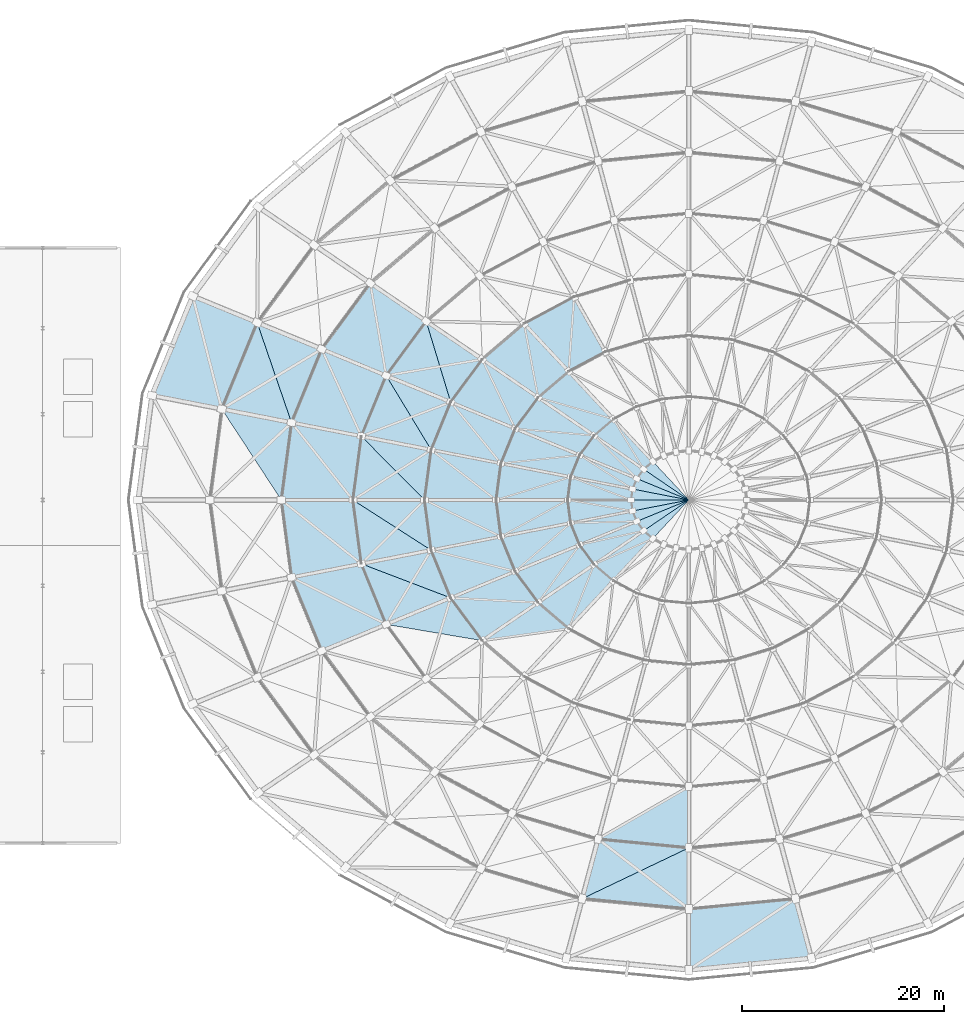
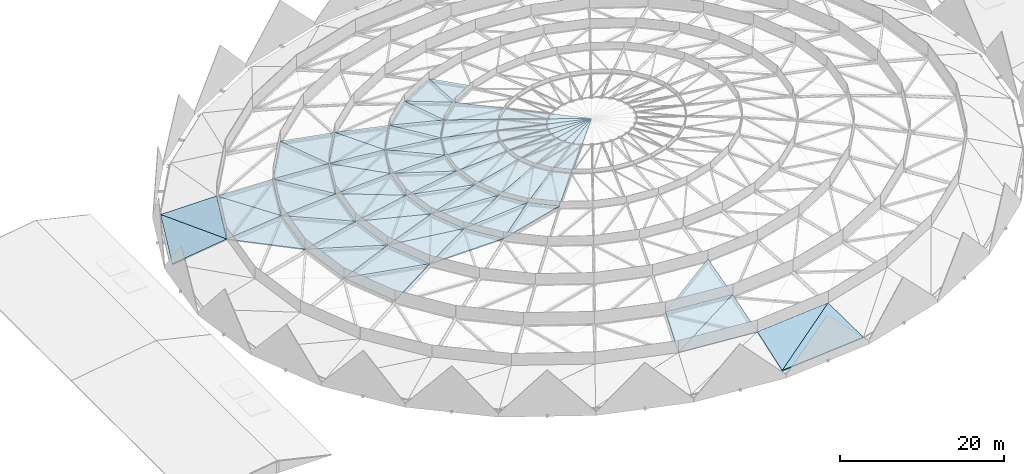
# One storey, part 19 of 27: 56 roofs.
"""IFC4 building model written with IfcOpenShell, lengths in metres."""

from ifc_helpers import new_model, si_unit, direction, frame, origin, place, context, subcontext, project, spatial, polyline, outline, extrude, material, layer, layer_set, type_object, element, save


model = new_model("IFC4")

# Units and contexts
model_context = context("Model", 3, precision=1e-05, world=origin(), true_north=direction((0.0, 1.0)))
body_context = subcontext(model_context, "Body", "Model", "MODEL_VIEW")
ifc_project = project(units=[si_unit("LENGTHUNIT", "METRE"), si_unit("AREAUNIT", "SQUARE_METRE"), si_unit("VOLUMEUNIT", "CUBIC_METRE"), si_unit("PLANEANGLEUNIT", "RADIAN"), si_unit("MASSUNIT", "GRAM", prefix="KILO")], contexts=[model_context])

# Site, building, storey
site_placement = place(None, origin())
site = spatial("IfcSite", under=ifc_project, at=site_placement, CompositionType="ELEMENT")
building_placement = place(site_placement, origin())
building = spatial("IfcBuilding", under=site, at=building_placement, Name="Cuetzalor Civic Arena", CompositionType="ELEMENT")
storey_placement = place(building_placement, frame((0.0, 0.0, 31.800048828125)))
storey = spatial("IfcBuildingStorey", under=building, at=storey_placement, Name="Roof", CompositionType="ELEMENT", Elevation=31.800048828125)

# Roofs
ifc_material = material(Name="Standing-seam acoustic zinc and steel deck", Category="steel")
ifc_layer = layer(ifc_material, 0.179931640625)
ifc_layer_set = layer_set([ifc_layer], Name="Standing-seam acoustic zinc and steel deck")
roof_type = type_object("IfcRoofType", Name="ArenaDomeRoof_StandingSeam", PredefinedType="DOME_ROOF", material=ifc_layer_set)
roof_1_placement = place(storey_placement, frame((-49.14794921875, 20.197265625, 0.4150390625), z_axis=(-0.270384315389, 0.110870987886, 0.956347189067), x_axis=(-0.379392590278, -0.925235787485, 0.0)))
element("IfcRoof", 1, at=roof_1_placement, inside=storey, type_object=roof_type, Name="Arena Space-Frame Dome Shell Panel R1-S13A", PredefinedType="DOME_ROOF", context=body_context, shape_type="SweptSolid", body=[
    extrude(outline(polyline([(0.0, 0.0), (10.63390253661406, 4.440892098500626e-16), (9.256847321696066, 7.223142963294137), (0.0, 0.0)])), origin(), (0.0, 0.0, -1.0), 0.179931640625),
])
roof_2_placement = place(storey_placement, frame((-49.14794921875, 20.197265625, 0.4150390625), z_axis=(-0.270381615841, 0.110871808875, 0.956347857117), x_axis=(0.24523208292, -0.952649916149, 0.179775868147)))
element("IfcRoof", 2, at=roof_2_placement, inside=storey, type_object=roof_type, Name="Arena Space-Frame Dome Shell Panel R1-S13B", PredefinedType="DOME_ROOF", context=body_context, shape_type="SweptSolid", body=[
    extrude(outline(polyline([(0.0, 0.0), (11.741508276425868, -3.885780586188048e-16), (4.4477687612989225, 5.691393143351305), (0.0, 0.0)])), origin(), (0.0, 0.0, -1.0), 0.179931640625),
])
roof_3_placement = place(storey_placement, frame((0.0, -46.550048828125, 0.4150390625), z_axis=(0.031655229707, -0.329191877394, 0.94373230012), x_axis=(0.995408405496, 0.095718891906, 0.0)))
element("IfcRoof", 3, at=roof_3_placement, inside=storey, type_object=roof_type, Name="Arena Space-Frame Dome Shell Panel R1-S22A", PredefinedType="DOME_ROOF", context=body_context, shape_type="SweptSolid", body=[
    extrude(outline(polyline([(0.0, 0.0), (12.194419564224404, -2.220446049250313e-16), (11.188492439758683, 6.382744737674283), (0.0, 0.0)])), origin(), (0.0, 0.0, -1.0), 0.179931640625),
])
roof_4_placement = place(storey_placement, frame((0.0, -46.550048828125, 0.4150390625), z_axis=(0.031650726914, -0.329185824334, 0.943734562546), x_axis=(0.819850549154, 0.548626641294, 0.163871551877)))
element("IfcRoof", 4, at=roof_4_placement, inside=storey, type_object=roof_type, Name="Arena Space-Frame Dome Shell Panel R1-S22B", PredefinedType="DOME_ROOF", context=body_context, shape_type="SweptSolid", body=[
    extrude(outline(polyline([(0.0, 0.0), (12.881063366851588, 2.220446049250313e-16), (3.6659282215038456, 5.257131617301799), (0.0, 0.0)])), origin(), (0.0, 0.0, -1.0), 0.179931640625),
])
roof_5_placement = place(storey_placement, frame((-42.758544921875, 17.571533203125, 2.52587890625), z_axis=(-0.244639197779, 0.100315956375, 0.964410893658), x_axis=(-0.379398237974, -0.925233471629, 0.0)))
element("IfcRoof", 5, at=roof_5_placement, inside=storey, type_object=roof_type, Name="Arena Space-Frame Dome Shell Panel R2-S13A", PredefinedType="DOME_ROOF", context=body_context, shape_type="SweptSolid", body=[
    extrude(outline(polyline([(0.0, 0.0), (9.251518363312615, 0.0), (7.874287721975854, 7.162409295902043), (0.0, 0.0)])), origin(), (0.0, 0.0, -1.0), 0.179931640625),
])
roof_6_placement = place(storey_placement, frame((-42.758544921875, 17.571533203125, 2.52587890625), z_axis=(-0.244636230763, 0.100317096975, 0.964411527644), x_axis=(0.319749867351, -0.930648491332, 0.177914046413)))
element("IfcRoof", 6, at=roof_6_placement, inside=storey, type_object=roof_type, Name="Arena Space-Frame Dome Shell Panel R2-S13B", PredefinedType="DOME_ROOF", context=body_context, shape_type="SweptSolid", body=[
    extrude(outline(polyline([(0.0, 0.0), (10.644459312265875, 0.0), (4.823273233006193, 5.295003827984189), (0.0, 0.0)])), origin(), (0.0, 0.0, -1.0), 0.179931640625),
])
roof_7_placement = place(storey_placement, frame((-46.2685546875, 9.01171875, 2.52587890625), z_axis=(-0.25786639188, 0.03404325873, 0.965580644211), x_axis=(0.539581172715, -0.823936633735, 0.17314901571)))
element("IfcRoof", 7, at=roof_7_placement, inside=storey, type_object=roof_type, Name="Arena Space-Frame Dome Shell Panel R2-S14B", PredefinedType="DOME_ROOF", context=body_context, shape_type="SweptSolid", body=[
    extrude(outline(polyline([(0.0, 0.0), (10.937392975419804, -5.551115123125783e-16), (5.167721459682312, 5.146991944485611), (0.0, 0.0)])), origin(), (0.0, 0.0, -1.0), 0.179931640625),
])
roof_8_placement = place(storey_placement, frame((-10.560546875, -39.483154296875, 2.52587890625), z_axis=(-0.02870417103, -0.298539942791, 0.953965394091), x_axis=(0.995409535031, -0.095707144817, 0.0)))
element("IfcRoof", 8, at=roof_8_placement, inside=storey, type_object=roof_type, Name="Arena Space-Frame Dome Shell Panel R2-S21A", PredefinedType="DOME_ROOF", context=body_context, shape_type="SweptSolid", body=[
    extrude(outline(polyline([(0.0, 0.0), (10.609248257471279, 0.0), (10.0300751621164, 6.314416065473887), (0.0, 0.0)])), origin(), (0.0, 0.0, -1.0), 0.179931640625),
])
roof_9_placement = place(storey_placement, frame((-10.560546875, -39.483154296875, 2.52587890625), z_axis=(-0.028707632542, -0.298533413365, 0.953967333266), x_axis=(0.8910211957, 0.424911809342, 0.159784802456)))
element("IfcRoof", 9, at=roof_9_placement, inside=storey, type_object=roof_type, Name="Arena Space-Frame Dome Shell Panel R2-S21B", PredefinedType="DOME_ROOF", context=body_context, shape_type="SweptSolid", body=[
    extrude(outline(polyline([(0.0, 0.0), (11.85218368089269, 3.885780586188048e-16), (4.215681275929966, 4.80768463634969), (0.0, 0.0)])), origin(), (0.0, 0.0, -1.0), 0.179931640625),
])
roof_10_placement = place(storey_placement, frame((-31.560302734375, 21.477294921875, 4.419677734375), z_axis=(-0.193812579037, 0.142707841727, 0.970603500981), x_axis=(-0.592925880885, -0.80525703957, 0.0)))
element("IfcRoof", 10, at=roof_10_placement, inside=storey, type_object=roof_type, Name="Arena Space-Frame Dome Shell Panel R3-S12A", PredefinedType="DOME_ROOF", context=body_context, shape_type="SweptSolid", body=[
    extrude(outline(polyline([(0.0, 0.0), (8.110764239317504, 8.881784197001252e-16), (6.436855342297008, 6.9047565717553), (0.0, 0.0)])), origin(), (0.0, 0.0, -1.0), 0.179931640625),
])
roof_11_placement = place(storey_placement, frame((-31.560302734375, 21.477294921875, 4.419677734375), z_axis=(-0.193812934934, 0.142707769349, 0.970603440556), x_axis=(0.167385693551, -0.970045613107, 0.176049817059)))
element("IfcRoof", 11, at=roof_11_placement, inside=storey, type_object=roof_type, Name="Arena Space-Frame Dome Shell Panel R3-S12B", PredefinedType="DOME_ROOF", context=body_context, shape_type="SweptSolid", body=[
    extrude(outline(polyline([(0.0, 0.0), (9.439744170943168, 0.0), (4.880562771050326, 4.890582048982679), (0.0, 0.0)])), origin(), (0.0, 0.0, -1.0), 0.179931640625),
])
roof_12_placement = place(storey_placement, frame((-36.369384765625, 14.946044921875, 4.419677734375), z_axis=(-0.216415023087, 0.088744528111, 0.972259711452), x_axis=(-0.379405869929, -0.925230342057, 0.0)))
element("IfcRoof", 12, at=roof_12_placement, inside=storey, type_object=roof_type, Name="Arena Space-Frame Dome Shell Panel R3-S13A", PredefinedType="DOME_ROOF", context=body_context, shape_type="SweptSolid", body=[
    extrude(outline(polyline([(0.0, 0.0), (7.869134190476988, 0.0), (6.491979829215341, 7.104904813552269), (0.0, 0.0)])), origin(), (0.0, 0.0, -1.0), 0.179931640625),
])
roof_13_placement = place(storey_placement, frame((-36.369384765625, 14.946044921875, 4.419677734375), z_axis=(-0.216421502787, 0.088741355737, 0.972258558673), x_axis=(0.408160405949, -0.896430853041, 0.172675443337)))
element("IfcRoof", 13, at=roof_13_placement, inside=storey, type_object=roof_type, Name="Arena Space-Frame Dome Shell Panel R3-S13B", PredefinedType="DOME_ROOF", context=body_context, shape_type="SweptSolid", body=[
    extrude(outline(polyline([(0.0, 0.0), (9.62421292951154, -3.885780586188048e-16), (5.248553073959941, 4.7885618864694655), (0.0, 0.0)])), origin(), (0.0, 0.0, -1.0), 0.179931640625),
])
roof_14_placement = place(storey_placement, frame((-39.35498046875, 7.665283203125, 4.419677734375), z_axis=(-0.228059585687, 0.030108194499, 0.97318154627), x_axis=(-0.130883326155, -0.991397778359, 0.0)))
element("IfcRoof", 14, at=roof_14_placement, inside=storey, type_object=roof_type, Name="Arena Space-Frame Dome Shell Panel R3-S14A", PredefinedType="DOME_ROOF", context=body_context, shape_type="SweptSolid", body=[
    extrude(outline(polyline([(0.0, 0.0), (7.73179380713896, 3.3306690738754696e-16), (6.803627797658519, 7.224294020905501), (0.0, 0.0)])), origin(), (0.0, 0.0, -1.0), 0.179931640625),
])
roof_15_placement = place(storey_placement, frame((-39.35498046875, 7.665283203125, 4.419677734375), z_axis=(-0.228057617721, 0.030109844278, 0.973181956408), x_axis=(0.612633521306, -0.772422081296, 0.167464315297)))
element("IfcRoof", 15, at=roof_15_placement, inside=storey, type_object=roof_type, Name="Arena Space-Frame Dome Shell Panel R3-S14B", PredefinedType="DOME_ROOF", context=body_context, shape_type="SweptSolid", body=[
    extrude(outline(polyline([(0.0, 0.0), (9.923697663147678, 4.996003610813204e-16), (5.554145137822903, 4.639795074394815), (0.0, 0.0)])), origin(), (0.0, 0.0, -1.0), 0.179931640625),
])
roof_16_placement = place(storey_placement, frame((-40.366943359375, 0.0, 4.419677734375), z_axis=(-0.22805797427, -0.030107981761, 0.973181930477), x_axis=(0.130883326155, -0.991397778359, 0.0)))
element("IfcRoof", 16, at=roof_16_placement, inside=storey, type_object=roof_type, Name="Arena Space-Frame Dome Shell Panel R3-S15A", PredefinedType="DOME_ROOF", context=body_context, shape_type="SweptSolid", body=[
    extrude(outline(polyline([(0.0, 0.0), (7.73179380713896, -1.1102230246251565e-16), (7.301602100099006, 7.224345066480024), (0.0, 0.0)])), origin(), (0.0, 0.0, -1.0), 0.179931640625),
])
roof_17_placement = place(storey_placement, frame((-40.366943359375, 0.0, 4.419677734375), z_axis=(-0.228059572575, -0.030110102372, 0.973181490315), x_axis=(0.77162533224, -0.615156333899, 0.161793175103)))
element("IfcRoof", 17, at=roof_17_placement, inside=storey, type_object=roof_type, Name="Arena Space-Frame Dome Shell Panel R3-S15B", PredefinedType="DOME_ROOF", context=body_context, shape_type="SweptSolid", body=[
    extrude(outline(polyline([(0.0, 0.0), (10.27154101718649, -3.3306690738754696e-16), (5.740900187620725, 4.482631066396403), (0.0, 0.0)])), origin(), (0.0, 0.0, -1.0), 0.179931640625),
])
roof_18_placement = place(storey_placement, frame((-39.35498046875, -7.665283203125, 4.419677734375), z_axis=(-0.216419452787, -0.088746344582, 0.972258559632), x_axis=(0.379405869929, -0.925230342057, 0.0)))
element("IfcRoof", 18, at=roof_18_placement, inside=storey, type_object=roof_type, Name="Arena Space-Frame Dome Shell Panel R3-S16A", PredefinedType="DOME_ROOF", context=body_context, shape_type="SweptSolid", body=[
    extrude(outline(polyline([(0.0, 0.0), (7.869134190476988, 4.440892098500626e-16), (7.863811750831536, 7.104759389476787), (0.0, 0.0)])), origin(), (0.0, 0.0, -1.0), 0.179931640625),
])
roof_19_placement = place(storey_placement, frame((-39.35498046875, -7.665283203125, 4.419677734375), z_axis=(-0.216416128973, -0.088739152262, 0.972259955967), x_axis=(0.884579653909, -0.439237486942, 0.156809648797)))
element("IfcRoof", 19, at=roof_19_placement, inside=storey, type_object=roof_type, Name="Arena Space-Frame Dome Shell Panel R3-S16B", PredefinedType="DOME_ROOF", context=body_context, shape_type="SweptSolid", body=[
    extrude(outline(polyline([(0.0, 0.0), (10.597978167314498, -3.885780586188048e-16), (5.78490735362082, 4.348686405617672), (0.0, 0.0)])), origin(), (0.0, 0.0, -1.0), 0.179931640625),
])
roof_20_placement = place(storey_placement, frame((-8.982421875, -33.583251953125, 4.419677734375), z_axis=(-0.025456998482, -0.264729759228, 0.963986564122), x_axis=(0.995408235955, -0.095720655001, 0.0)))
element("IfcRoof", 20, at=roof_20_placement, inside=storey, type_object=roof_type, Name="Arena Space-Frame Dome Shell Panel R3-S21A", PredefinedType="DOME_ROOF", context=body_context, shape_type="SweptSolid", body=[
    extrude(outline(polyline([(0.0, 0.0), (9.023857298494606, 0.0), (8.444602446073521, 6.24876608572132), (0.0, 0.0)])), origin(), (0.0, 0.0, -1.0), 0.179931640625),
])
roof_21_placement = place(storey_placement, frame((-26.015869140625, 17.704345703125, 6.08154296875), z_axis=(-0.165890067061, 0.122147685527, 0.978550166609), x_axis=(-0.592924979879, -0.805257702997, 0.0)))
element("IfcRoof", 21, at=roof_21_placement, inside=storey, type_object=roof_type, Name="Arena Space-Frame Dome Shell Panel R4-S12A", PredefinedType="DOME_ROOF", context=body_context, shape_type="SweptSolid", body=[
    extrude(outline(polyline([(0.0, 0.0), (6.686099596548087, 0.0), (5.012198198185634, 6.84868594742696), (0.0, 0.0)])), origin(), (0.0, 0.0, -1.0), 0.179931640625),
])
roof_22_placement = place(storey_placement, frame((-26.015869140625, 17.704345703125, 6.08154296875), z_axis=(-0.165890482663, 0.122147550275, 0.978550113036), x_axis=(0.285713140757, -0.943785413002, 0.166244083813)))
element("IfcRoof", 22, at=roof_22_placement, inside=storey, type_object=roof_type, Name="Arena Space-Frame Dome Shell Panel R4-S12B", PredefinedType="DOME_ROOF", context=body_context, shape_type="SweptSolid", body=[
    extrude(outline(polyline([(0.0, 0.0), (8.486850416048277, 2.7755575615628914e-16), (5.379523867059674, 4.245847323082911), (0.0, 0.0)])), origin(), (0.0, 0.0, -1.0), 0.179931640625),
])
roof_23_placement = place(storey_placement, frame((-29.980224609375, 12.3203125, 6.08154296875), z_axis=(-0.185158298193, 0.075922208265, 0.979771515662), x_axis=(-0.379384535293, -0.925239090387, 0.0)))
element("IfcRoof", 23, at=roof_23_placement, inside=storey, type_object=roof_type, Name="Arena Space-Frame Dome Shell Panel R4-S13A", PredefinedType="DOME_ROOF", context=body_context, shape_type="SweptSolid", body=[
    extrude(outline(polyline([(0.0, 0.0), (6.486657391294367, 0.0), (5.109754938206923, 7.050234119374815), (0.0, 0.0)])), origin(), (0.0, 0.0, -1.0), 0.179931640625),
])
roof_24_placement = place(storey_placement, frame((-29.980224609375, 12.3203125, 6.08154296875), z_axis=(-0.185156492577, 0.075923350864, 0.979771768347), x_axis=(0.511373899201, -0.843943578903, 0.162036942838)))
element("IfcRoof", 24, at=roof_24_placement, inside=storey, type_object=roof_type, Name="Arena Space-Frame Dome Shell Panel R4-S13B", PredefinedType="DOME_ROOF", context=body_context, shape_type="SweptSolid", body=[
    extrude(outline(polyline([(0.0, 0.0), (8.707203722580907, -2.498001805406602e-16), (5.7118358461535905, 4.132962177968507), (0.0, 0.0)])), origin(), (0.0, 0.0, -1.0), 0.179931640625),
])
roof_25_placement = place(storey_placement, frame((-32.441162109375, 6.318603515625, 6.08154296875), z_axis=(-0.195070787572, 0.025754680311, 0.98045095965), x_axis=(-0.130891485179, -0.991396701178, 0.0)))
element("IfcRoof", 25, at=roof_25_placement, inside=storey, type_object=roof_type, Name="Arena Space-Frame Dome Shell Panel R4-S14A", PredefinedType="DOME_ROOF", context=body_context, shape_type="SweptSolid", body=[
    extrude(outline(polyline([(0.0, 0.0), (6.373436090834402, 1.1102230246251565e-16), (5.44524417713336, 7.17047586897535), (0.0, 0.0)])), origin(), (0.0, 0.0, -1.0), 0.179931640625),
])
roof_26_placement = place(storey_placement, frame((-32.441162109375, 6.318603515625, 6.08154296875), z_axis=(-0.195068618006, 0.025756912046, 0.980451332678), x_axis=(0.69494630021, -0.70177943719, 0.156701184943)))
element("IfcRoof", 26, at=roof_26_placement, inside=storey, type_object=roof_type, Name="Arena Space-Frame Dome Shell Panel R4-S14B", PredefinedType="DOME_ROOF", context=body_context, shape_type="SweptSolid", body=[
    extrude(outline(polyline([(0.0, 0.0), (9.00368859613451, 8.326672684688674e-17), (5.970722864420534, 3.9940117650804234), (0.0, 0.0)])), origin(), (0.0, 0.0, -1.0), 0.179931640625),
])
roof_27_placement = place(storey_placement, frame((-33.275390625, 0.0, 6.08154296875), z_axis=(-0.195069090356, -0.025754456232, 0.980451303213), x_axis=(0.130891485179, -0.991396701178, 0.0)))
element("IfcRoof", 27, at=roof_27_placement, inside=storey, type_object=roof_type, Name="Arena Space-Frame Dome Shell Panel R4-S15A", PredefinedType="DOME_ROOF", context=body_context, shape_type="SweptSolid", body=[
    extrude(outline(polyline([(0.0, 0.0), (6.373436090834402, 1.1102230246251565e-16), (5.943270288492723, 7.170538256352219), (0.0, 0.0)])), origin(), (0.0, 0.0, -1.0), 0.179931640625),
])
roof_28_placement = place(storey_placement, frame((-33.275390625, 0.0, 6.08154296875), z_axis=(-0.19507077492, -0.025757196846, 0.980450896059), x_axis=(0.831900044289, -0.533847310602, 0.151490479154)))
element("IfcRoof", 28, at=roof_28_placement, inside=storey, type_object=roof_type, Name="Arena Space-Frame Dome Shell Panel R4-S15B", PredefinedType="DOME_ROOF", context=body_context, shape_type="SweptSolid", body=[
    extrude(outline(polyline([(0.0, 0.0), (9.313381802969912, 3.885780586188048e-16), (6.112996134145744, 3.861158204494735), (0.0, 0.0)])), origin(), (0.0, 0.0, -1.0), 0.179931640625),
])
roof_29_placement = place(storey_placement, frame((-32.441162109375, -6.318603515625, 6.08154296875), z_axis=(-0.185157154769, -0.075921739416, 0.979771768078), x_axis=(0.379384535293, -0.925239090387, 0.0)))
element("IfcRoof", 29, at=roof_29_placement, inside=storey, type_object=roof_type, Name="Arena Space-Frame Dome Shell Panel R4-S16A", PredefinedType="DOME_ROOF", context=body_context, shape_type="SweptSolid", body=[
    extrude(outline(polyline([(0.0, 0.0), (6.486657391294367, 0.0), (6.481175670468761, 7.050277657557898), (0.0, 0.0)])), origin(), (0.0, 0.0, -1.0), 0.179931640625),
])
roof_30_placement = place(storey_placement, frame((-32.441162109375, -6.318603515625, 6.08154296875), z_axis=(-0.18515794567, -0.075923946705, 0.979771447569), x_axis=(0.92413380045, -0.352521991521, 0.147326047801)))
element("IfcRoof", 30, at=roof_30_placement, inside=storey, type_object=roof_type, Name="Arena Space-Frame Dome Shell Panel R4-S16B", PredefinedType="DOME_ROOF", context=body_context, shape_type="SweptSolid", body=[
    extrude(outline(polyline([(0.0, 0.0), (9.5766410144756, 5.551115123125783e-17), (6.122194064001955, 3.7577122489640167), (0.0, 0.0)])), origin(), (0.0, 0.0, -1.0), 0.179931640625),
])
roof_31_placement = place(storey_placement, frame((-29.980224609375, -12.3203125, 6.08154296875), z_axis=(-0.165890209312, -0.122147349003, 0.9785501845), x_axis=(0.975564394298, -0.165290886258, 0.144751633836)))
element("IfcRoof", 31, at=roof_31_placement, inside=storey, type_object=roof_type, Name="Arena Space-Frame Dome Shell Panel R4-S17B", PredefinedType="DOME_ROOF", context=body_context, shape_type="SweptSolid", body=[
    extrude(outline(polyline([(0.0, 0.0), (9.746961982292454, 1.6653345369377348e-16), (6.003255959231392, 3.696939678419985), (0.0, 0.0)])), origin(), (0.0, 0.0, -1.0), 0.179931640625),
])
roof_32_placement = place(storey_placement, frame((-11.36083984375, 20.131103515625, 7.492431640625), z_axis=(-0.084157221684, 0.156960203884, 0.984012731846), x_axis=(-0.881313042066, -0.472532879157, 0.0)))
element("IfcRoof", 32, at=roof_32_placement, inside=storey, type_object=roof_type, Name="Arena Space-Frame Dome Shell Panel R5-S10A", PredefinedType="DOME_ROOF", context=body_context, shape_type="SweptSolid", body=[
    extrude(outline(polyline([(0.0, 0.0), (5.6331852275050105, 0.0), (3.972207559867076, 6.360608649591214), (0.0, 0.0)])), origin(), (0.0, 0.0, -1.0), 0.179931640625),
])
roof_33_placement = place(storey_placement, frame((-11.36083984375, 20.131103515625, 7.492431640625), z_axis=(-0.084153763188, 0.15696000007, 0.984013060136), x_axis=(-0.072437545133, -0.98586685021, 0.151060768277)))
element("IfcRoof", 33, at=roof_33_placement, inside=storey, type_object=roof_type, Name="Arena Space-Frame Dome Shell Panel R5-S10B", PredefinedType="DOME_ROOF", context=body_context, shape_type="SweptSolid", body=[
    extrude(outline(polyline([(0.0, 0.0), (7.49905162616712, -4.163336342344337e-17), (5.323332539643774, 3.4840576156526972), (0.0, 0.0)])), origin(), (0.0, 0.0, -1.0), 0.179931640625),
])
roof_34_placement = place(storey_placement, frame((-16.325439453125, 17.46923828125, 7.492431640625), z_axis=(-0.11196142614, 0.131207572887, 0.985012290215), x_axis=(-0.760693428242, -0.649111321909, 0.0)))
element("IfcRoof", 34, at=roof_34_placement, inside=storey, type_object=roof_type, Name="Arena Space-Frame Dome Shell Panel R5-S11A", PredefinedType="DOME_ROOF", context=body_context, shape_type="SweptSolid", body=[
    extrude(outline(polyline([(0.0, 0.0), (5.450285147504302, 0.0), (3.6818934787364617, 6.567631770183517), (0.0, 0.0)])), origin(), (0.0, 0.0, -1.0), 0.179931640625),
])
roof_35_placement = place(storey_placement, frame((-16.325439453125, 17.46923828125, 7.492431640625), z_axis=(-0.111972704759, 0.131205264534, 0.985011315644), x_axis=(0.185733117213, -0.971013255596, 0.150454201094)))
element("IfcRoof", 35, at=roof_35_placement, inside=storey, type_object=roof_type, Name="Arena Space-Frame Dome Shell Panel R5-S11B", PredefinedType="DOME_ROOF", context=body_context, shape_type="SweptSolid", body=[
    extrude(outline(polyline([(0.0, 0.0), (7.5292846046278505, 0.0), (5.585693390136665, 3.4664417717639657), (0.0, 0.0)])), origin(), (0.0, 0.0, -1.0), 0.179931640625),
])
roof_36_placement = place(storey_placement, frame((-20.471435546875, 13.931396484375, 7.492431640625), z_axis=(-0.134209235218, 0.098820191749, 0.986013413136), x_axis=(-0.592923590931, -0.805258725701, 0.0)))
element("IfcRoof", 36, at=roof_36_placement, inside=storey, type_object=roof_type, Name="Arena Space-Frame Dome Shell Panel R5-S12A", PredefinedType="DOME_ROOF", context=body_context, shape_type="SweptSolid", body=[
    extrude(outline(polyline([(0.0, 0.0), (5.261434953791573, 0.0), (3.587203761883724, 6.796902975628303), (0.0, 0.0)])), origin(), (0.0, 0.0, -1.0), 0.179931640625),
])
roof_37_placement = place(storey_placement, frame((-20.471435546875, 13.931396484375, 7.492431640625), z_axis=(-0.134205657157, 0.098821947975, 0.986013724136), x_axis=(0.425450884791, -0.892897294833, 0.147397304967)))
element("IfcRoof", 37, at=roof_37_placement, inside=storey, type_object=roof_type, Name="Arena Space-Frame Dome Shell Panel R5-S12B", PredefinedType="DOME_ROOF", context=body_context, shape_type="SweptSolid", body=[
    extrude(outline(polyline([(0.0, 0.0), (7.685435634326632, -1.3877787807814457e-17), (5.894931831122794, 3.3927532874210953), (0.0, 0.0)])), origin(), (0.0, 0.0, -1.0), 0.179931640625),
])
roof_38_placement = place(storey_placement, frame((-23.591064453125, 9.694580078125, 7.492431640625), z_axis=(-0.149731033329, 0.061397154485, 0.986818629273), x_axis=(-0.379392590278, -0.925235787485, 0.0)))
element("IfcRoof", 38, at=roof_38_placement, inside=storey, type_object=roof_type, Name="Arena Space-Frame Dome Shell Panel R5-S13A", PredefinedType="DOME_ROOF", context=body_context, shape_type="SweptSolid", body=[
    extrude(outline(polyline([(0.0, 0.0), (5.104273217574749, 0.0), (3.7269921150133243, 7.000009565207953), (0.0, 0.0)])), origin(), (0.0, 0.0, -1.0), 0.179931640625),
])
roof_39_placement = place(storey_placement, frame((-23.591064453125, 9.694580078125, 7.492431640625), z_axis=(-0.149728908118, 0.06139893687, 0.986818840834), x_axis=(0.627625371752, -0.765298431176, 0.142845034823)))
element("IfcRoof", 39, at=roof_39_placement, inside=storey, type_object=roof_type, Name="Arena Space-Frame Dome Shell Panel R5-S13B", PredefinedType="DOME_ROOF", context=body_context, shape_type="SweptSolid", body=[
    extrude(outline(polyline([(0.0, 0.0), (7.930359647479698, -2.7755575615628914e-16), (6.181250950819479, 3.285281848952283), (0.0, 0.0)])), origin(), (0.0, 0.0, -1.0), 0.179931640625),
])
roof_40_placement = place(storey_placement, frame((-25.527587890625, 4.971923828125, 7.492431640625), z_axis=(-0.157707023745, 0.020823677233, 0.987266361793), x_axis=(-0.130904064007, -0.991395040348, 0.0)))
element("IfcRoof", 40, at=roof_40_placement, inside=storey, type_object=roof_type, Name="Arena Space-Frame Dome Shell Panel R5-S14A", PredefinedType="DOME_ROOF", context=body_context, shape_type="SweptSolid", body=[
    extrude(outline(polyline([(0.0, 0.0), (5.015078375195358, 0.0), (4.086765302148113, 7.1212091096236865), (0.0, 0.0)])), origin(), (0.0, 0.0, -1.0), 0.179931640625),
])
roof_41_placement = place(storey_placement, frame((-25.527587890625, 4.971923828125, 7.492431640625), z_axis=(-0.157705550279, 0.020825628559, 0.987266556005), x_axis=(0.783754070388, -0.605552456312, 0.137970213468)))
element("IfcRoof", 41, at=roof_41_placement, inside=storey, type_object=roof_type, Name="Arena Space-Frame Dome Shell Panel R5-S14B", PredefinedType="DOME_ROOF", context=body_context, shape_type="SweptSolid", body=[
    extrude(outline(polyline([(0.0, 0.0), (8.210558435199712, 9.020562075079397e-16), (6.390365016206717, 3.1717932007173775), (0.0, 0.0)])), origin(), (0.0, 0.0, -1.0), 0.179931640625),
])
roof_42_placement = place(storey_placement, frame((-26.18408203125, 0.0, 7.492431640625), z_axis=(-0.157705954442, -0.020823536042, 0.987266535582), x_axis=(0.130904064007, -0.991395040348, 0.0)))
element("IfcRoof", 42, at=roof_42_placement, inside=storey, type_object=roof_type, Name="Arena Space-Frame Dome Shell Panel R5-S15A", PredefinedType="DOME_ROOF", context=body_context, shape_type="SweptSolid", body=[
    extrude(outline(polyline([(0.0, 0.0), (5.015078375195358, -1.1102230246251565e-16), (4.585275772921347, 7.121257393996802), (0.0, 0.0)])), origin(), (0.0, 0.0, -1.0), 0.179931640625),
])
roof_43_placement = place(storey_placement, frame((-26.18408203125, 0.0, 7.492431640625), z_axis=(-0.157707016697, -0.020825822205, 0.987266317674), x_axis=(0.893803432207, -0.428050211825, 0.133747675614)))
element("IfcRoof", 43, at=roof_43_placement, inside=storey, type_object=roof_type, Name="Arena Space-Frame Dome Shell Panel R5-S15B", PredefinedType="DOME_ROOF", context=body_context, shape_type="SweptSolid", body=[
    extrude(outline(polyline([(0.0, 0.0), (8.469773360916667, 3.3306690738754696e-16), (6.489965212440509, 3.0746928116300993), (0.0, 0.0)])), origin(), (0.0, 0.0, -1.0), 0.179931640625),
])
roof_44_placement = place(storey_placement, frame((-25.527587890625, -4.971923828125, 7.492431640625), z_axis=(-0.14972984132, -0.061396665702, 0.986818840547), x_axis=(0.379392590278, -0.925235787485, 0.0)))
element("IfcRoof", 44, at=roof_44_placement, inside=storey, type_object=roof_type, Name="Arena Space-Frame Dome Shell Panel R5-S16A", PredefinedType="DOME_ROOF", context=body_context, shape_type="SweptSolid", body=[
    extrude(outline(polyline([(0.0, 0.0), (5.104273217574749, 0.0), (5.099170146662373, 7.000065292747582), (0.0, 0.0)])), origin(), (0.0, 0.0, -1.0), 0.179931640625),
])
roof_45_placement = place(storey_placement, frame((-25.527587890625, -4.971923828125, 7.492431640625), z_axis=(-0.149730542858, -0.061399607224, 0.986818551086), x_axis=(0.961379619492, -0.24215614261, 0.130803783668)))
element("IfcRoof", 45, at=roof_45_placement, inside=storey, type_object=roof_type, Name="Arena Space-Frame Dome Shell Panel R5-S16B", PredefinedType="DOME_ROOF", context=body_context, shape_type="SweptSolid", body=[
    extrude(outline(polyline([(0.0, 0.0), (8.660395504094607, 4.163336342344337e-17), (6.468932586453731, 3.0083132051687524), (0.0, 0.0)])), origin(), (0.0, 0.0, -1.0), 0.179931640625),
])
roof_46_placement = place(storey_placement, frame((-23.591064453125, -9.694580078125, 7.492431640625), z_axis=(-0.134207650721, -0.098819025061, 0.986013745733), x_axis=(0.592923590931, -0.805258725701, 0.0)))
element("IfcRoof", 46, at=roof_46_placement, inside=storey, type_object=roof_type, Name="Arena Space-Frame Dome Shell Panel R5-S17A", PredefinedType="DOME_ROOF", context=body_context, shape_type="SweptSolid", body=[
    extrude(outline(polyline([(0.0, 0.0), (5.261434953791573, 0.0), (5.510463553479632, 6.796983221946983), (0.0, 0.0)])), origin(), (0.0, 0.0, -1.0), 0.179931640625),
])
roof_47_placement = place(storey_placement, frame((-23.591064453125, -9.694580078125, 7.492431640625), z_axis=(-0.13420783029, -0.098823548156, 0.986013267973), x_axis=(0.990167646545, -0.05298490647, 0.129462857303)))
element("IfcRoof", 47, at=roof_47_placement, inside=storey, type_object=roof_type, Name="Arena Space-Frame Dome Shell Panel R5-S17B", PredefinedType="DOME_ROOF", context=body_context, shape_type="SweptSolid", body=[
    extrude(outline(polyline([(0.0, 0.0), (8.750096541962046, -2.7755575615628914e-17), (6.334127307483881, 2.979894527772593), (0.0, 0.0)])), origin(), (0.0, 0.0, -1.0), 0.179931640625),
])
roof_48_placement = place(storey_placement, frame((-20.471435546875, -13.931396484375, 7.492431640625), z_axis=(-0.111967357068, -0.131198998317, 0.985012758187), x_axis=(0.98205243228, 0.136791071725, 0.12985077185)))
element("IfcRoof", 48, at=roof_48_placement, inside=storey, type_object=roof_type, Name="Arena Space-Frame Dome Shell Panel R5-S18B", PredefinedType="DOME_ROOF", context=body_context, shape_type="SweptSolid", body=[
    extrude(outline(polyline([(0.0, 0.0), (8.72395661463175, 8.326672684688674e-17), (6.108160237296738, 2.991884803664482), (0.0, 0.0)])), origin(), (0.0, 0.0, -1.0), 0.179931640625),
])
roof_49_placement = place(storey_placement, frame((-11.904052734375, 12.738037109375, 8.625244140625), z_axis=(-0.042946540683, 0.050323087607, 0.997809190926), x_axis=(-0.760655501722, -0.64915576536, 0.0)))
element("IfcRoof", 49, at=roof_49_placement, inside=storey, type_object=roof_type, Name="Arena Space-Frame Dome Apex Shell Panel S11", PredefinedType="DOME_ROOF", context=body_context, shape_type="SweptSolid", body=[
    extrude(outline(polyline([(0.0, 0.0), (3.974137059296952, 2.220446049250313e-16), (-0.7859129762612493, 17.455083226769077), (0.0, 0.0)])), origin(), (0.0, 0.0, -1.0), 0.179931640625),
])
roof_50_placement = place(storey_placement, frame((-14.927001953125, 10.158203125, 8.625244140625), z_axis=(-0.05143165391, 0.037871549789, 0.997958180834), x_axis=(-0.592940674136, -0.805246146812, 0.0)))
element("IfcRoof", 50, at=roof_50_placement, inside=storey, type_object=roof_type, Name="Arena Space-Frame Dome Apex Shell Panel S12", PredefinedType="DOME_ROOF", context=body_context, shape_type="SweptSolid", body=[
    extrude(outline(polyline([(0.0, 0.0), (3.836232362435057, -2.220446049250313e-16), (-0.6709726759805932, 18.08003878487378), (0.0, 0.0)])), origin(), (0.0, 0.0, -1.0), 0.179931640625),
])
roof_51_placement = place(storey_placement, frame((-17.20166015625, 7.069091796875, 8.625244140625), z_axis=(-0.057340237991, 0.023513359556, 0.998077762015), x_axis=(-0.379406628759, -0.925230030886, 0.0)))
element("IfcRoof", 51, at=roof_51_placement, inside=storey, type_object=roof_type, Name="Arena Space-Frame Dome Apex Shell Panel S13", PredefinedType="DOME_ROOF", context=body_context, shape_type="SweptSolid", body=[
    extrude(outline(polyline([(0.0, 0.0), (3.7218890445293704, 2.220446049250313e-16), (0.014112132619108486, 18.63337061748551), (0.0, 0.0)])), origin(), (0.0, 0.0, -1.0), 0.179931640625),
])
roof_52_placement = place(storey_placement, frame((-18.61376953125, 3.62548828125, 8.625244140625), z_axis=(-0.060371364557, 0.007972272451, 0.998144148514), x_axis=(-0.130917322618, -0.991393289587, 0.0)))
element("IfcRoof", 52, at=roof_52_placement, inside=storey, type_object=roof_type, Name="Arena Space-Frame Dome Apex Shell Panel S14", PredefinedType="DOME_ROOF", context=body_context, shape_type="SweptSolid", body=[
    extrude(outline(polyline([(0.0, 0.0), (3.6569627002011362, 5.551115123125783e-17), (1.1574198826444864, 18.963398677777313), (0.0, 0.0)])), origin(), (0.0, 0.0, -1.0), 0.179931640625),
])
roof_53_placement = place(storey_placement, frame((-19.092529296875, 0.0, 8.625244140625), z_axis=(-0.060371364557, -0.007972272451, 0.998144148514), x_axis=(0.130917322618, -0.991393289587, 0.0)))
element("IfcRoof", 53, at=roof_53_placement, inside=storey, type_object=roof_type, Name="Arena Space-Frame Dome Apex Shell Panel S15", PredefinedType="DOME_ROOF", context=body_context, shape_type="SweptSolid", body=[
    extrude(outline(polyline([(0.0, 0.0), (3.6569627002011362, -5.551115123125783e-17), (2.4995428175566494, 18.963398677777317), (0.0, 0.0)])), origin(), (0.0, 0.0, -1.0), 0.179931640625),
])
roof_54_placement = place(storey_placement, frame((-18.61376953125, -3.62548828125, 8.625244140625), z_axis=(-0.057340237991, -0.023513359556, 0.998077762015), x_axis=(0.379406628759, -0.925230030886, 0.0)))
element("IfcRoof", 54, at=roof_54_placement, inside=storey, type_object=roof_type, Name="Arena Space-Frame Dome Apex Shell Panel S16", PredefinedType="DOME_ROOF", context=body_context, shape_type="SweptSolid", body=[
    extrude(outline(polyline([(0.0, 0.0), (3.7218890445293704, -2.220446049250313e-16), (3.7077769119102615, 18.63337061748551), (0.0, 0.0)])), origin(), (0.0, 0.0, -1.0), 0.179931640625),
])
roof_55_placement = place(storey_placement, frame((-17.20166015625, -7.069091796875, 8.625244140625), z_axis=(-0.05143165391, -0.037871549789, 0.997958180834), x_axis=(0.592940674136, -0.805246146812, 0.0)))
element("IfcRoof", 55, at=roof_55_placement, inside=storey, type_object=roof_type, Name="Arena Space-Frame Dome Apex Shell Panel S17", PredefinedType="DOME_ROOF", context=body_context, shape_type="SweptSolid", body=[
    extrude(outline(polyline([(0.0, 0.0), (3.836232362435057, 2.220446049250313e-16), (4.507205038415648, 18.08003878487378), (0.0, 0.0)])), origin(), (0.0, 0.0, -1.0), 0.179931640625),
])
roof_56_placement = place(storey_placement, frame((-14.927001953125, -10.158203125, 8.625244140625), z_axis=(-0.042946540683, -0.050323087607, 0.997809190926), x_axis=(0.760655501722, -0.64915576536, 0.0)))
element("IfcRoof", 56, at=roof_56_placement, inside=storey, type_object=roof_type, Name="Arena Space-Frame Dome Apex Shell Panel S18", PredefinedType="DOME_ROOF", context=body_context, shape_type="SweptSolid", body=[
    extrude(outline(polyline([(0.0, 0.0), (3.974137059296952, -2.220446049250313e-16), (4.7600500355582005, 17.455083226769077), (0.0, 0.0)])), origin(), (0.0, 0.0, -1.0), 0.179931640625),
])

save(model, "model.ifc")
